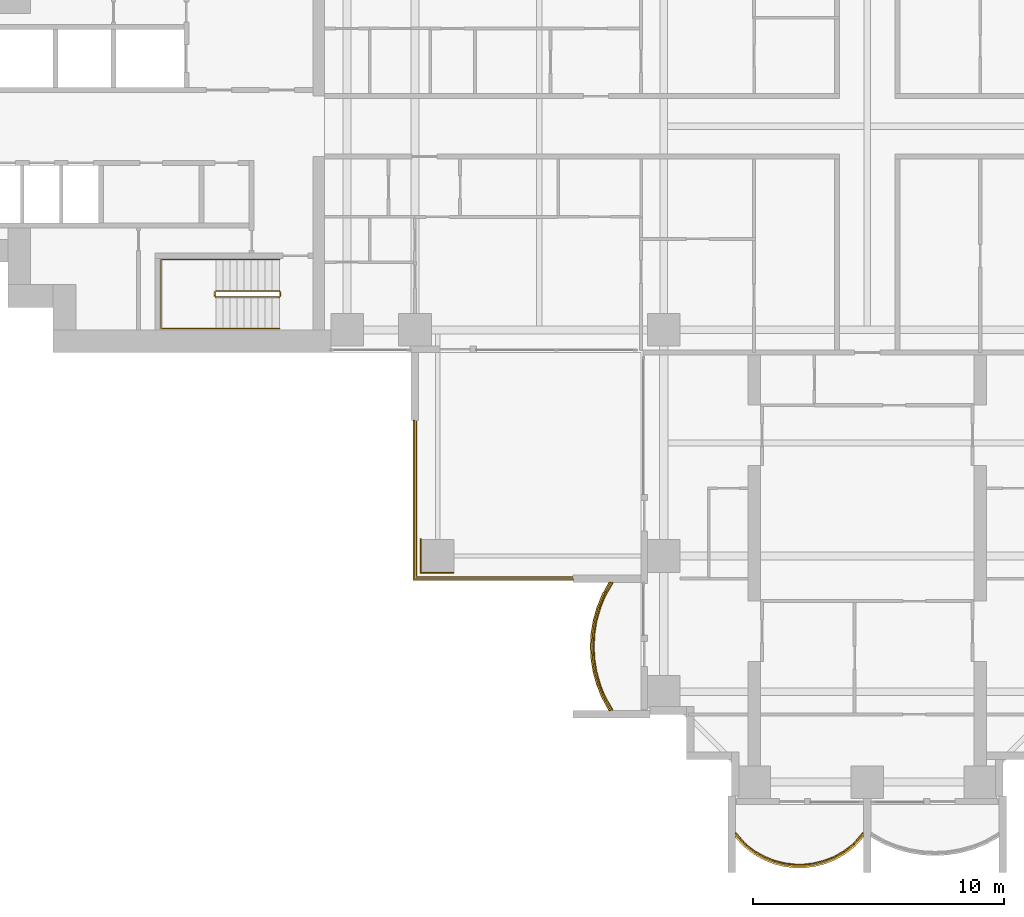
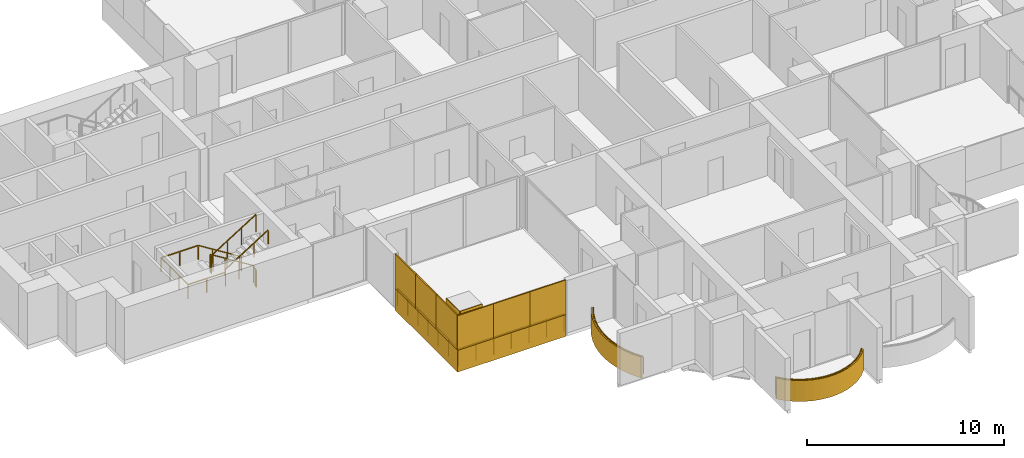
# One storey, part 18 of 21: 11 coverings, 5 railings.
"""IFC4 building model written with IfcOpenShell, lengths in metres."""

from ifc_helpers import new_model, si_unit, direction, frame, origin, origin_2d, place, context, subcontext, project, spatial, polyline, rectangle, outline, extrude, material, layer, layer_set, type_object, element, save


model = new_model("IFC4")

# Units and contexts
model_context = context("Model", 3, precision=1e-05, world=origin(), true_north=direction((0.0, 1.0)))
body_context = subcontext(model_context, "Body", "Model", "MODEL_VIEW")
ifc_project = project(units=[si_unit("LENGTHUNIT", "METRE"), si_unit("AREAUNIT", "SQUARE_METRE"), si_unit("VOLUMEUNIT", "CUBIC_METRE"), si_unit("PLANEANGLEUNIT", "RADIAN"), si_unit("MASSUNIT", "GRAM", prefix="KILO")], contexts=[model_context])

# Site, building, storey
site_placement = place(None, origin())
site = spatial("IfcSite", under=ifc_project, at=site_placement, CompositionType="ELEMENT")
building_placement = place(site_placement, origin())
building = spatial("IfcBuilding", under=site, at=building_placement, Name="Perihelion Cross Residences", CompositionType="ELEMENT")
storey_placement = place(building_placement, frame((0.0, 0.0, 57.5)))
storey = spatial("IfcBuildingStorey", under=building, at=storey_placement, Name="L11", CompositionType="ELEMENT", Elevation=57.5)

# Coverings
ifc_material_1 = material(Name="Bronze anodised aluminium", Category="aluminium")
ifc_layer_1 = layer(ifc_material_1, 0.070068359375)
ifc_layer_set_1 = layer_set([ifc_layer_1], Name="Balcony fascia 1300")
covering_type_1 = type_object("IfcCoveringType", Name="Balcony fascia 1300", PredefinedType="CLADDING", material=ifc_layer_set_1)
covering_1_placement = place(storey_placement, frame((0.0, 0.0, -0.199951171875)))
element("IfcCovering", 1, at=covering_1_placement, inside=storey, type_object=covering_type_1, Name="Fascia BF1 L11 south side west bay 2", PredefinedType="CLADDING", context=body_context, shape_type="SweptSolid", body=[
    extrude(outline(polyline([(-10.54833984375, -18.629638671875), (-10.7607421875, -19.147216796875), (-10.906494140625, -19.664794921875), (-10.991943359375, -20.182373046875), (-11.02001953125, -20.699951171875), (-10.991943359375, -21.217529296875), (-10.906494140625, -21.735107421875), (-10.7607421875, -22.2529296875), (-10.54833984375, -22.7705078125), (-10.2802734375, -23.25), (-10.199951171875, -23.25), (-10.4853515625, -22.739990234375), (-10.694580078125, -22.22998046875), (-10.838134765625, -21.719970703125), (-10.92236328125, -21.2099609375), (-10.949951171875, -20.699951171875), (-10.92236328125, -20.18994140625), (-10.838134765625, -19.679931640625), (-10.694580078125, -19.169921875), (-10.4853515625, -18.659912109375), (-10.199951171875, -18.14990234375), (-10.2802734375, -18.14990234375), (-10.54833984375, -18.629638671875)])), origin(), (0.0, 0.0, 1.0), 1.300048828125),
])
covering_2_placement = place(storey_placement, frame((0.0, 0.0, -0.199951171875)))
element("IfcCovering", 2, at=covering_2_placement, inside=storey, type_object=covering_type_1, Name="Fascia BF1 L11 south tip south bay 1", PredefinedType="CLADDING", context=body_context, shape_type="SweptSolid", body=[
    extrude(outline(polyline([(-4.90478515625, -28.674072265625), (-4.50390625, -28.982666015625), (-4.10302734375, -29.20654296875), (-3.7021484375, -29.364013671875), (-3.30126953125, -29.464599609375), (-2.900390625, -29.513916015625), (-2.49951171875, -29.513916015625), (-2.0986328125, -29.464599609375), (-1.69775390625, -29.364013671875), (-1.296875, -29.20654296875), (-0.89599609375, -28.982666015625), (-0.4951171875, -28.674072265625), (-0.14990234375, -28.302734375), (-0.14990234375, -28.199951171875), (-0.542236328125, -28.622314453125), (-0.9345703125, -28.924072265625), (-1.326904296875, -29.143310546875), (-1.71923828125, -29.29736328125), (-2.111572265625, -29.39599609375), (-2.50390625, -29.444091796875), (-2.896240234375, -29.444091796875), (-3.28857421875, -29.39599609375), (-3.6806640625, -29.29736328125), (-4.072998046875, -29.143310546875), (-4.46533203125, -28.924072265625), (-4.857666015625, -28.622314453125), (-5.25, -28.199951171875), (-5.25, -28.302734375), (-4.90478515625, -28.674072265625)])), origin(), (0.0, 0.0, 1.0), 1.300048828125),
])

# Railings
ifc_material_2 = material(Name="Bronze anodised aluminium", Category="aluminium")
railing_type_1 = type_object("IfcRailingType", Name="Balcony guard 1100", PredefinedType="GUARDRAIL", material=ifc_material_2)
railing_1_placement = place(storey_placement, frame((-10.139892578125, -18.175048828125, 0.0)))
element("IfcRailing", 3, at=railing_1_placement, inside=storey, type_object=railing_type_1, Name="Guard GU1 L11 south side west bay 2 balcony", PredefinedType="GUARDRAIL", context=body_context, shape_type="SweptSolid", body=[
    extrude(rectangle(XDim=0.048095703125, YDim=0.048095703125, at=origin_2d()), frame((0.0, 0.0, 1.076171875), z_axis=(-0.507266632806, -0.861789164031, 0.0), x_axis=(0.861789164031, -0.507266632806, 0.0)), (0.0, 0.0, 1.0), 0.562744140625),
    extrude(rectangle(XDim=0.048095703125, YDim=0.048095703125, at=origin_2d()), frame((-0.285400390625, -0.48486328125, 1.076171875), z_axis=(-0.379546636342, -0.925172605972, 0.0), x_axis=(0.925172605972, -0.379546636342, 0.0)), (0.0, 0.0, 1.0), 0.55126953125),
    extrude(rectangle(XDim=0.048095703125, YDim=0.048095703125, at=origin_2d()), frame((-0.49462890625, -0.994873046875, 1.076171875), z_axis=(-0.271372618732, -0.962474364231, 0.0), x_axis=(0.962474364231, -0.271372618732, 0.0)), (0.0, 0.0, 1.0), 0.52978515625),
    extrude(rectangle(XDim=0.048095703125, YDim=0.048095703125, at=origin_2d()), frame((-0.638427734375, -1.5048828125, 1.076171875), z_axis=(-0.162483799314, -0.986711211531, 0.0), x_axis=(0.986711211531, -0.162483799314, 0.0)), (0.0, 0.0, 1.0), 0.516845703125),
    extrude(rectangle(XDim=0.048095703125, YDim=0.048095703125, at=origin_2d()), frame((-0.722412109375, -2.014892578125, 1.076171875), z_axis=(-0.05401390175, -0.998540183677, 0.0), x_axis=(0.998540183677, -0.05401390175, 0.0)), (0.0, 0.0, 1.0), 0.5107421875),
    extrude(rectangle(XDim=0.048095703125, YDim=0.048095703125, at=origin_2d()), frame((-0.75, -2.52490234375, 1.076171875), z_axis=(0.05401390175, -0.998540183677, 0.0), x_axis=(0.998540183677, 0.05401390175, 0.0)), (0.0, 0.0, 1.0), 0.5107421875),
    extrude(rectangle(XDim=0.048095703125, YDim=0.048095703125, at=origin_2d()), frame((-0.722412109375, -3.034912109375, 1.076171875), z_axis=(0.162483799314, -0.986711211531, 0.0), x_axis=(0.986711211531, 0.162483799314, 0.0)), (0.0, 0.0, 1.0), 0.516845703125),
    extrude(rectangle(XDim=0.048095703125, YDim=0.048095703125, at=origin_2d()), frame((-0.638427734375, -3.544921875, 1.076171875), z_axis=(0.271372618732, -0.962474364231, 0.0), x_axis=(0.962474364231, 0.271372618732, 0.0)), (0.0, 0.0, 1.0), 0.52978515625),
    extrude(rectangle(XDim=0.048095703125, YDim=0.048095703125, at=origin_2d()), frame((-0.49462890625, -4.054931640625, 1.076171875), z_axis=(0.379546636342, -0.925172605972, 0.0), x_axis=(0.925172605972, 0.379546636342, 0.0)), (0.0, 0.0, 1.0), 0.55126953125),
    extrude(rectangle(XDim=0.048095703125, YDim=0.048095703125, at=origin_2d()), frame((-0.285400390625, -4.56494140625, 1.076171875), z_axis=(0.507076995033, -0.861900760591, 0.0), x_axis=(0.861900760591, 0.507076995033, 0.0)), (0.0, 0.0, 1.0), 0.562744140625),
    extrude(rectangle(XDim=0.0419921875, YDim=0.0419921875, at=origin_2d()), origin(), (0.0, 0.0, 1.0), 1.052001953125),
    extrude(rectangle(XDim=0.0419921875, YDim=0.0419921875, at=origin_2d()), frame((-0.285400390625, -0.48486328125, 0.0)), (0.0, 0.0, 1.0), 1.052001953125),
    extrude(rectangle(XDim=0.0419921875, YDim=0.0419921875, at=origin_2d()), frame((-0.49462890625, -0.994873046875, 0.0)), (0.0, 0.0, 1.0), 1.052001953125),
    extrude(rectangle(XDim=0.0419921875, YDim=0.0419921875, at=origin_2d()), frame((-0.638427734375, -1.5048828125, 0.0)), (0.0, 0.0, 1.0), 1.052001953125),
    extrude(rectangle(XDim=0.0419921875, YDim=0.0419921875, at=origin_2d()), frame((-0.722412109375, -2.014892578125, 0.0)), (0.0, 0.0, 1.0), 1.052001953125),
    extrude(rectangle(XDim=0.0419921875, YDim=0.0419921875, at=origin_2d()), frame((-0.75, -2.52490234375, 0.0)), (0.0, 0.0, 1.0), 1.052001953125),
    extrude(rectangle(XDim=0.0419921875, YDim=0.0419921875, at=origin_2d()), frame((-0.722412109375, -3.034912109375, 0.0)), (0.0, 0.0, 1.0), 1.052001953125),
    extrude(rectangle(XDim=0.0419921875, YDim=0.0419921875, at=origin_2d()), frame((-0.638427734375, -3.544921875, 0.0)), (0.0, 0.0, 1.0), 1.052001953125),
    extrude(rectangle(XDim=0.0419921875, YDim=0.0419921875, at=origin_2d()), frame((-0.49462890625, -4.054931640625, 0.0)), (0.0, 0.0, 1.0), 1.052001953125),
    extrude(rectangle(XDim=0.0419921875, YDim=0.0419921875, at=origin_2d()), frame((-0.285400390625, -4.56494140625, 0.0)), (0.0, 0.0, 1.0), 1.052001953125),
    extrude(rectangle(XDim=0.0419921875, YDim=0.0419921875, at=origin_2d()), frame((0.0, -5.050048828125, 0.0)), (0.0, 0.0, 1.0), 1.052001953125),
])
railing_2_placement = place(storey_placement, frame((-5.22509765625, -28.139892578125, 0.0)))
element("IfcRailing", 4, at=railing_2_placement, inside=storey, type_object=railing_type_1, Name="Guard GU1 L11 south tip south bay 1 balcony", PredefinedType="GUARDRAIL", context=body_context, shape_type="SweptSolid", body=[
    extrude(rectangle(XDim=0.048095703125, YDim=0.048095703125, at=origin_2d()), frame((0.0, 0.0, 1.076171875), z_axis=(0.656340655493, -0.754464673757, 0.0), x_axis=(0.754464673757, 0.656340655493, 0.0)), (0.0, 0.0, 1.0), 0.559814453125),
    extrude(rectangle(XDim=0.048095703125, YDim=0.048095703125, at=origin_2d()), frame((0.367431640625, -0.42236328125, 1.076171875), z_axis=(0.792660660899, -0.60966308455, 0.0), x_axis=(0.60966308455, 0.792660660899, 0.0)), (0.0, 0.0, 1.0), 0.494873046875),
    extrude(rectangle(XDim=0.048095703125, YDim=0.048095703125, at=origin_2d()), frame((0.759765625, -0.72412109375, 1.076171875), z_axis=(0.872950285698, -0.487809182674, 0.0), x_axis=(0.487809182674, 0.872950285698, 0.0)), (0.0, 0.0, 1.0), 0.449462890625),
    extrude(rectangle(XDim=0.048095703125, YDim=0.048095703125, at=origin_2d()), frame((1.152099609375, -0.943359375, 1.076171875), z_axis=(0.930814842219, -0.365491079925, 0.0), x_axis=(0.365491079925, 0.930814842219, 0.0)), (0.0, 0.0, 1.0), 0.42138671875),
    extrude(rectangle(XDim=0.048095703125, YDim=0.048095703125, at=origin_2d()), frame((1.54443359375, -1.097412109375, 1.076171875), z_axis=(0.969786252666, -0.243956193074, 0.0), x_axis=(0.243956193074, 0.969786252666, 0.0)), (0.0, 0.0, 1.0), 0.404296875),
    extrude(rectangle(XDim=0.048095703125, YDim=0.048095703125, at=origin_2d()), frame((1.9365234375, -1.196044921875, 1.076171875), z_axis=(0.992569651699, -0.121677797999, 0.0), x_axis=(0.121677797999, 0.992569651699, 0.0)), (0.0, 0.0, 1.0), 0.395263671875),
    extrude(rectangle(XDim=0.048095703125, YDim=0.048095703125, at=origin_2d()), frame((2.328857421875, -1.244140625, 1.076171875), z_axis=(1.0, 0.0, 0.0), x_axis=(0.0, 1.0, 0.0)), (0.0, 0.0, 1.0), 0.392333984375),
    extrude(rectangle(XDim=0.048095703125, YDim=0.048095703125, at=origin_2d()), frame((2.72119140625, -1.244140625, 1.076171875), z_axis=(0.992569651699, 0.121677797999, 0.0), x_axis=(-0.121677797999, 0.992569651699, 0.0)), (0.0, 0.0, 1.0), 0.395263671875),
    extrude(rectangle(XDim=0.048095703125, YDim=0.048095703125, at=origin_2d()), frame((3.113525390625, -1.196044921875, 1.076171875), z_axis=(0.969822159145, 0.243813411509, 0.0), x_axis=(-0.243813411509, 0.969822159145, 0.0)), (0.0, 0.0, 1.0), 0.404541015625),
    extrude(rectangle(XDim=0.048095703125, YDim=0.048095703125, at=origin_2d()), frame((3.505859375, -1.097412109375, 1.076171875), z_axis=(0.930814842219, 0.365491079925, 0.0), x_axis=(-0.365491079925, 0.930814842219, 0.0)), (0.0, 0.0, 1.0), 0.42138671875),
    extrude(rectangle(XDim=0.048095703125, YDim=0.048095703125, at=origin_2d()), frame((3.898193359375, -0.943359375, 1.076171875), z_axis=(0.872950285698, 0.487809182674, 0.0), x_axis=(-0.487809182674, 0.872950285698, 0.0)), (0.0, 0.0, 1.0), 0.449462890625),
    extrude(rectangle(XDim=0.048095703125, YDim=0.048095703125, at=origin_2d()), frame((4.29052734375, -0.72412109375, 1.076171875), z_axis=(0.792660660899, 0.60966308455, 0.0), x_axis=(-0.60966308455, 0.792660660899, 0.0)), (0.0, 0.0, 1.0), 0.494873046875),
    extrude(rectangle(XDim=0.048095703125, YDim=0.048095703125, at=origin_2d()), frame((4.682861328125, -0.42236328125, 1.076171875), z_axis=(0.656092309534, 0.754680648599, 0.0), x_axis=(-0.754680648599, 0.656092309534, 0.0)), (0.0, 0.0, 1.0), 0.5595703125),
    extrude(rectangle(XDim=0.0419921875, YDim=0.0419921875, at=origin_2d()), origin(), (0.0, 0.0, 1.0), 1.052001953125),
    extrude(rectangle(XDim=0.0419921875, YDim=0.0419921875, at=origin_2d()), frame((0.367431640625, -0.42236328125, 0.0)), (0.0, 0.0, 1.0), 1.052001953125),
    extrude(rectangle(XDim=0.0419921875, YDim=0.0419921875, at=origin_2d()), frame((0.759765625, -0.72412109375, 0.0)), (0.0, 0.0, 1.0), 1.052001953125),
    extrude(rectangle(XDim=0.0419921875, YDim=0.0419921875, at=origin_2d()), frame((1.152099609375, -0.943359375, 0.0)), (0.0, 0.0, 1.0), 1.052001953125),
    extrude(rectangle(XDim=0.0419921875, YDim=0.0419921875, at=origin_2d()), frame((1.54443359375, -1.097412109375, 0.0)), (0.0, 0.0, 1.0), 1.052001953125),
    extrude(rectangle(XDim=0.0419921875, YDim=0.0419921875, at=origin_2d()), frame((1.9365234375, -1.196044921875, 0.0)), (0.0, 0.0, 1.0), 1.052001953125),
    extrude(rectangle(XDim=0.0419921875, YDim=0.0419921875, at=origin_2d()), frame((2.328857421875, -1.244140625, 0.0)), (0.0, 0.0, 1.0), 1.052001953125),
    extrude(rectangle(XDim=0.0419921875, YDim=0.0419921875, at=origin_2d()), frame((2.72119140625, -1.244140625, 0.0)), (0.0, 0.0, 1.0), 1.052001953125),
    extrude(rectangle(XDim=0.0419921875, YDim=0.0419921875, at=origin_2d()), frame((3.113525390625, -1.196044921875, 0.0)), (0.0, 0.0, 1.0), 1.052001953125),
    extrude(rectangle(XDim=0.0419921875, YDim=0.0419921875, at=origin_2d()), frame((3.505859375, -1.097412109375, 0.0)), (0.0, 0.0, 1.0), 1.052001953125),
    extrude(rectangle(XDim=0.0419921875, YDim=0.0419921875, at=origin_2d()), frame((3.898193359375, -0.943359375, 0.0)), (0.0, 0.0, 1.0), 1.052001953125),
    extrude(rectangle(XDim=0.0419921875, YDim=0.0419921875, at=origin_2d()), frame((4.29052734375, -0.72412109375, 0.0)), (0.0, 0.0, 1.0), 1.052001953125),
    extrude(rectangle(XDim=0.0419921875, YDim=0.0419921875, at=origin_2d()), frame((4.682861328125, -0.42236328125, 0.0)), (0.0, 0.0, 1.0), 1.052001953125),
    extrude(rectangle(XDim=0.0419921875, YDim=0.0419921875, at=origin_2d()), frame((5.050048828125, 0.0, 0.0)), (0.0, 0.0, 1.0), 1.052001953125),
])
railing_3_placement = place(storey_placement, frame((-11.739990234375, -17.93994140625, 0.0)))
element("IfcRailing", 5, at=railing_3_placement, inside=storey, type_object=railing_type_1, Name="Guard GU1 L11 pocket south-west 1", PredefinedType="GUARDRAIL", context=body_context, shape_type="SweptSolid", body=[
    extrude(rectangle(XDim=0.048095703125, YDim=0.048095703125, at=origin_2d()), frame((0.0, 0.0, 1.076171875), z_axis=(-1.0, 0.0, 0.0), x_axis=(0.0, -1.0, 0.0)), (0.0, 0.0, 1.0), 6.199951171875),
    extrude(rectangle(XDim=0.048095703125, YDim=0.048095703125, at=origin_2d()), frame((-6.199951171875, 0.0, 1.076171875), z_axis=(0.0, 1.0, 0.0), x_axis=(-1.0, 0.0, 0.0)), (0.0, 0.0, 1.0), 6.199951171875),
    extrude(rectangle(XDim=0.0419921875, YDim=0.0419921875, at=origin_2d()), origin(), (0.0, 0.0, 1.0), 1.052001953125),
    extrude(rectangle(XDim=0.0419921875, YDim=0.0419921875, at=origin_2d()), frame((-1.033203125, 0.0, 0.0)), (0.0, 0.0, 1.0), 1.052001953125),
    extrude(rectangle(XDim=0.0419921875, YDim=0.0419921875, at=origin_2d()), frame((-2.066650390625, 0.0, 0.0)), (0.0, 0.0, 1.0), 1.052001953125),
    extrude(rectangle(XDim=0.0419921875, YDim=0.0419921875, at=origin_2d()), frame((-3.10009765625, 0.0, 0.0)), (0.0, 0.0, 1.0), 1.052001953125),
    extrude(rectangle(XDim=0.0419921875, YDim=0.0419921875, at=origin_2d()), frame((-4.13330078125, 0.0, 0.0)), (0.0, 0.0, 1.0), 1.052001953125),
    extrude(rectangle(XDim=0.0419921875, YDim=0.0419921875, at=origin_2d()), frame((-5.16650390625, 0.0, 0.0)), (0.0, 0.0, 1.0), 1.052001953125),
    extrude(rectangle(XDim=0.0419921875, YDim=0.0419921875, at=origin_2d()), frame((-6.199951171875, 0.0, 0.0)), (0.0, 0.0, 1.0), 1.052001953125),
    extrude(rectangle(XDim=0.0419921875, YDim=0.0419921875, at=origin_2d()), frame((-6.199951171875, 1.033203125, 0.0)), (0.0, 0.0, 1.0), 1.052001953125),
    extrude(rectangle(XDim=0.0419921875, YDim=0.0419921875, at=origin_2d()), frame((-6.199951171875, 2.066650390625, 0.0)), (0.0, 0.0, 1.0), 1.052001953125),
    extrude(rectangle(XDim=0.0419921875, YDim=0.0419921875, at=origin_2d()), frame((-6.199951171875, 3.10009765625, 0.0)), (0.0, 0.0, 1.0), 1.052001953125),
    extrude(rectangle(XDim=0.0419921875, YDim=0.0419921875, at=origin_2d()), frame((-6.199951171875, 4.13330078125, 0.0)), (0.0, 0.0, 1.0), 1.052001953125),
    extrude(rectangle(XDim=0.0419921875, YDim=0.0419921875, at=origin_2d()), frame((-6.199951171875, 5.16650390625, 0.0)), (0.0, 0.0, 1.0), 1.052001953125),
    extrude(rectangle(XDim=0.0419921875, YDim=0.0419921875, at=origin_2d()), frame((-6.199951171875, 6.199951171875, 0.0)), (0.0, 0.0, 1.0), 1.052001953125),
])

# Coverings
ifc_material_3 = material(Name="Bronze anodised aluminium", Category="aluminium")
ifc_layer_2 = layer(ifc_material_3, 0.0400390625)
ifc_layer_set_2 = layer_set([ifc_layer_2], Name="Bronze column casing 40")
covering_type_2 = type_object("IfcCoveringType", Name="Bronze column casing 40", PredefinedType="CLADDING", material=ifc_layer_set_2)
covering_3_placement = place(storey_placement, frame((-17.77001953125, -17.10009765625, -0.25), z_axis=(0.0, 0.0, 1.0), x_axis=(1.0, 0.0, 0.0)))
element("IfcCovering", 6, at=covering_3_placement, inside=storey, type_object=covering_type_2, Name="Cladding CC1 L11 casing east-west no. 1", PredefinedType="CLADDING", context=body_context, shape_type="SweptSolid", body=[
    extrude(rectangle(XDim=0.0400390625, YDim=1.3798828125, at=origin_2d()), origin(), (0.0, 0.0, 1.0), 3.5),
])
covering_4_placement = place(storey_placement, frame((-17.10009765625, -17.77001953125, -0.25), z_axis=(0.0, 0.0, 1.0), x_axis=(1.0, 0.0, 0.0)))
element("IfcCovering", 7, at=covering_4_placement, inside=storey, type_object=covering_type_2, Name="Cladding CC1 L11 casing north-south no. 1", PredefinedType="CLADDING", context=body_context, shape_type="SweptSolid", body=[
    extrude(rectangle(XDim=1.300048828125, YDim=0.0400390625, at=origin_2d()), origin(), (0.0, 0.0, 1.0), 3.5),
])
ifc_material_4 = material(Name="Bronze anodised aluminium", Category="aluminium")
ifc_layer_3 = layer(ifc_material_4, 0.070068359375)
ifc_layer_set_3 = layer_set([ifc_layer_3], Name="Pocket fascia 1350")
covering_type_3 = type_object("IfcCoveringType", Name="Pocket fascia 1350", PredefinedType="CLADDING", material=ifc_layer_set_3)
covering_5_placement = place(storey_placement, frame((0.0, 0.0, -0.25)))
element("IfcCovering", 8, at=covering_5_placement, inside=storey, type_object=covering_type_3, Name="Fascia BF2 L11 pocket south-west 1", PredefinedType="CLADDING", context=body_context, shape_type="SweptSolid", body=[
    extrude(outline(polyline([(-18.070068359375, -11.699951171875), (-18.070068359375, -18.070068359375), (-11.699951171875, -18.070068359375), (-11.699951171875, -18.0), (-18.0, -18.0), (-18.0, -11.699951171875), (-18.070068359375, -11.699951171875)])), origin(), (0.0, 0.0, 1.0), 1.35009765625),
])
ifc_material_5 = material(Name="Bronze perforated aluminium", Category="aluminium")
ifc_layer_4 = layer(ifc_material_5, 0.070068359375)
ifc_layer_set_4 = layer_set([ifc_layer_4], Name="Pocket solar screen, bronze perforated")
covering_type_4 = type_object("IfcCoveringType", Name="Pocket solar screen, bronze perforated", PredefinedType="CLADDING", material=ifc_layer_set_4)
covering_6_placement = place(storey_placement, frame((0.0, 0.0, 1.10009765625)))
element("IfcCovering", 9, at=covering_6_placement, inside=storey, type_object=covering_type_4, Name="Solar screen PS1 L11 pocket south-west no. 1", PredefinedType="CLADDING", context=body_context, shape_type="SweptSolid", body=[
    extrude(outline(polyline([(-18.0, -18.0), (-18.0, -15.89990234375), (-18.070068359375, -15.89990234375), (-18.070068359375, -18.0), (-18.0, -18.0)])), origin(), (0.0, 0.0, 1.0), 2.14990234375),
])
covering_7_placement = place(storey_placement, frame((0.0, 0.0, 1.10009765625)))
element("IfcCovering", 10, at=covering_7_placement, inside=storey, type_object=covering_type_4, Name="Solar screen PS1 L11 pocket south-west no. 2", PredefinedType="CLADDING", context=body_context, shape_type="SweptSolid", body=[
    extrude(outline(polyline([(-18.0, -15.89990234375), (-18.0, -13.800048828125), (-18.070068359375, -13.800048828125), (-18.070068359375, -15.89990234375), (-18.0, -15.89990234375)])), origin(), (0.0, 0.0, 1.0), 2.14990234375),
])
covering_8_placement = place(storey_placement, frame((0.0, 0.0, 1.10009765625)))
element("IfcCovering", 11, at=covering_8_placement, inside=storey, type_object=covering_type_4, Name="Solar screen PS1 L11 pocket south-west no. 3", PredefinedType="CLADDING", context=body_context, shape_type="SweptSolid", body=[
    extrude(outline(polyline([(-18.0, -13.800048828125), (-18.0, -11.699951171875), (-18.070068359375, -11.699951171875), (-18.070068359375, -13.800048828125), (-18.0, -13.800048828125)])), origin(), (0.0, 0.0, 1.0), 2.14990234375),
])
covering_9_placement = place(storey_placement, frame((0.0, 0.0, 1.10009765625)))
element("IfcCovering", 12, at=covering_9_placement, inside=storey, type_object=covering_type_4, Name="Solar screen PS1 L11 pocket south-west no. 4", PredefinedType="CLADDING", context=body_context, shape_type="SweptSolid", body=[
    extrude(outline(polyline([(-15.94677734375, -18.070068359375), (-15.94677734375, -18.0), (-18.070068359375, -18.0), (-18.070068359375, -18.070068359375), (-15.94677734375, -18.070068359375)])), origin(), (0.0, 0.0, 1.0), 2.14990234375),
])
covering_10_placement = place(storey_placement, frame((0.0, 0.0, 1.10009765625)))
element("IfcCovering", 13, at=covering_10_placement, inside=storey, type_object=covering_type_4, Name="Solar screen PS1 L11 pocket south-west no. 5", PredefinedType="CLADDING", context=body_context, shape_type="SweptSolid", body=[
    extrude(outline(polyline([(-13.8232421875, -18.070068359375), (-13.8232421875, -18.0), (-15.94677734375, -18.0), (-15.94677734375, -18.070068359375), (-13.8232421875, -18.070068359375)])), origin(), (0.0, 0.0, 1.0), 2.14990234375),
])
covering_11_placement = place(storey_placement, frame((0.0, 0.0, 1.10009765625)))
element("IfcCovering", 14, at=covering_11_placement, inside=storey, type_object=covering_type_4, Name="Solar screen PS1 L11 pocket south-west no. 6", PredefinedType="CLADDING", context=body_context, shape_type="SweptSolid", body=[
    extrude(outline(polyline([(-11.699951171875, -18.070068359375), (-11.699951171875, -18.0), (-13.8232421875, -18.0), (-13.8232421875, -18.070068359375), (-11.699951171875, -18.070068359375)])), origin(), (0.0, 0.0, 1.0), 2.14990234375),
])

# Railings
ifc_material_6 = material(Name="Stainless steel", Category="steel")
railing_type_2 = type_object("IfcRailingType", Name="Stair guard 1100", PredefinedType="GUARDRAIL", material=ifc_material_6)
railing_4_placement = place(storey_placement, frame((-23.35009765625, -6.75, 0.0)))
element("IfcRailing", 15, at=railing_4_placement, inside=storey, type_object=railing_type_2, Name="L11 ST-W2 stair guard 1", PredefinedType="GUARDRAIL", context=body_context, shape_type="SweptSolid", body=[
    extrude(rectangle(XDim=0.048095703125, YDim=0.048095703125, at=origin_2d()), frame((0.0, 0.0, 1.076171875), z_axis=(0.0, 1.0, 0.0), x_axis=(-1.0, 0.0, 0.0)), (0.0, 0.0, 1.0), 0.14990234375),
    extrude(rectangle(XDim=0.048095703125, YDim=0.048095703125, at=origin_2d()), frame((0.0, 0.14990234375, 1.076171875), z_axis=(-0.263862480399, 0.265155923931, 0.927399011991), x_axis=(-0.708833529934, -0.705375805398, 0.0)), (0.0, 0.0, 1.0), 0.188720703125),
    extrude(rectangle(XDim=0.048095703125, YDim=0.048095703125, at=origin_2d()), frame((-0.0498046875, 0.199951171875, 1.2509765625), z_axis=(-0.848007534815, 0.0, 0.529984170421), x_axis=(0.0, -1.0, 0.0)), (0.0, 0.0, 1.0), 2.9716796875),
    extrude(rectangle(XDim=0.048095703125, YDim=0.048095703125, at=origin_2d()), frame((-2.56982421875, 0.199951171875, 2.826171875), z_axis=(-0.707106781187, -0.707106781187, 0.0), x_axis=(0.707106781187, -0.707106781187, 0.0)), (0.0, 0.0, 1.0), 0.07080078125),
    extrude(rectangle(XDim=0.048095703125, YDim=0.048095703125, at=origin_2d()), frame((-2.619873046875, 0.14990234375, 2.826171875), z_axis=(0.0, -1.0, 0.0), x_axis=(1.0, 0.0, 0.0)), (0.0, 0.0, 1.0), 0.14990234375),
    extrude(rectangle(XDim=0.048095703125, YDim=0.048095703125, at=origin_2d()), frame((-2.619873046875, 0.0, 2.826171875), z_axis=(0.265065253269, -0.265065253269, 0.927081885822), x_axis=(0.707106781187, 0.707106781187, 0.0)), (0.0, 0.0, 1.0), 0.188720703125),
    extrude(rectangle(XDim=0.048095703125, YDim=0.048095703125, at=origin_2d()), frame((-2.56982421875, -0.050048828125, 3.0009765625), z_axis=(0.848007534815, 0.0, 0.529984170421), x_axis=(0.0, 1.0, 0.0)), (0.0, 0.0, 1.0), 2.9716796875),
    extrude(rectangle(XDim=0.0419921875, YDim=0.0419921875, at=origin_2d()), origin(), (0.0, 0.0, 1.0), 1.052001953125),
    extrude(rectangle(XDim=0.0419921875, YDim=0.0419921875, at=origin_2d()), frame((0.0, 0.14990234375, 0.0)), (0.0, 0.0, 1.0), 1.052001953125),
    extrude(rectangle(XDim=0.0419921875, YDim=0.0419921875, at=origin_2d()), frame((-0.0498046875, 0.199951171875, 0.175048828125)), (0.0, 0.0, 1.0), 1.052001953125),
    extrude(rectangle(XDim=0.0419921875, YDim=0.0419921875, at=origin_2d()), frame((-0.889892578125, 0.199951171875, 0.699951171875)), (0.0, 0.0, 1.0), 1.052001953125),
    extrude(rectangle(XDim=0.0419921875, YDim=0.0419921875, at=origin_2d()), frame((-1.729736328125, 0.199951171875, 1.22509765625)), (0.0, 0.0, 1.0), 1.052001953125),
    extrude(rectangle(XDim=0.0419921875, YDim=0.0419921875, at=origin_2d()), frame((-2.56982421875, 0.199951171875, 1.75)), (0.0, 0.0, 1.0), 1.052001953125),
    extrude(rectangle(XDim=0.0419921875, YDim=0.0419921875, at=origin_2d()), frame((-2.619873046875, 0.14990234375, 1.75)), (0.0, 0.0, 1.0), 1.052001953125),
    extrude(rectangle(XDim=0.0419921875, YDim=0.0419921875, at=origin_2d()), frame((-2.619873046875, 0.0, 1.75)), (0.0, 0.0, 1.0), 1.052001953125),
    extrude(rectangle(XDim=0.0419921875, YDim=0.0419921875, at=origin_2d()), frame((-2.56982421875, -0.050048828125, 1.925048828125)), (0.0, 0.0, 1.0), 1.052001953125),
    extrude(rectangle(XDim=0.0419921875, YDim=0.0419921875, at=origin_2d()), frame((-1.729736328125, -0.050048828125, 2.449951171875)), (0.0, 0.0, 1.0), 1.052001953125),
    extrude(rectangle(XDim=0.0419921875, YDim=0.0419921875, at=origin_2d()), frame((-0.889892578125, -0.050048828125, 2.97509765625)), (0.0, 0.0, 1.0), 1.052001953125),
    extrude(rectangle(XDim=0.0419921875, YDim=0.0419921875, at=origin_2d()), frame((-0.0498046875, -0.050048828125, 3.5)), (0.0, 0.0, 1.0), 1.052001953125),
])
ifc_material_7 = material(Name="Stainless steel", Category="steel")
railing_type_3 = type_object("IfcRailingType", Name="Stair handrail 900", PredefinedType="HANDRAIL", material=ifc_material_7)
railing_5_placement = place(storey_placement, frame((-23.39990234375, -5.300048828125, 0.175048828125)))
element("IfcRailing", 16, at=railing_5_placement, inside=storey, type_object=railing_type_3, Name="L11 ST-W2 stair handrail 1", PredefinedType="HANDRAIL", context=body_context, shape_type="SweptSolid", body=[
    extrude(rectangle(XDim=0.048095703125, YDim=0.048095703125, at=origin_2d()), frame((0.0, 0.0, 0.8759765625), z_axis=(-0.848007534815, 0.0, 0.529984170421), x_axis=(0.0, -1.0, 0.0)), (0.0, 0.0, 1.0), 2.9716796875),
    extrude(rectangle(XDim=0.048095703125, YDim=0.048095703125, at=origin_2d()), frame((-2.52001953125, 0.0, 2.45068359375), z_axis=(-1.0, 0.0, 0.0), x_axis=(0.0, -1.0, 0.0)), (0.0, 0.0, 1.0), 2.18017578125),
    extrude(rectangle(XDim=0.048095703125, YDim=0.048095703125, at=origin_2d()), frame((-4.7001953125, 0.0, 2.45068359375), z_axis=(0.0, -1.0, 0.0), x_axis=(1.0, 0.0, 0.0)), (0.0, 0.0, 1.0), 2.75),
    extrude(rectangle(XDim=0.048095703125, YDim=0.048095703125, at=origin_2d()), frame((-4.7001953125, -2.75, 2.45068359375), z_axis=(1.0, 0.0, 0.0), x_axis=(0.0, 1.0, 0.0)), (0.0, 0.0, 1.0), 2.18017578125),
    extrude(rectangle(XDim=0.048095703125, YDim=0.048095703125, at=origin_2d()), frame((-2.52001953125, -2.75, 2.45068359375), z_axis=(0.0, 0.0, 1.0), x_axis=(1.0, 0.0, 0.0)), (0.0, 0.0, 1.0), 0.175048828125),
    extrude(rectangle(XDim=0.048095703125, YDim=0.048095703125, at=origin_2d()), frame((-2.52001953125, -2.75, 2.6259765625), z_axis=(0.848007534815, 0.0, 0.529984170421), x_axis=(0.0, 1.0, 0.0)), (0.0, 0.0, 1.0), 2.9716796875),
    extrude(rectangle(XDim=0.0419921875, YDim=0.0419921875, at=origin_2d()), origin(), (0.0, 0.0, 1.0), 0.851806640625),
    extrude(rectangle(XDim=0.0419921875, YDim=0.0419921875, at=origin_2d()), frame((-0.840087890625, 0.0, 0.52490234375)), (0.0, 0.0, 1.0), 0.851806640625),
    extrude(rectangle(XDim=0.0419921875, YDim=0.0419921875, at=origin_2d()), frame((-1.679931640625, 0.0, 1.050048828125)), (0.0, 0.0, 1.0), 0.851806640625),
    extrude(rectangle(XDim=0.0419921875, YDim=0.0419921875, at=origin_2d()), frame((-2.52001953125, 0.0, 1.574951171875)), (0.0, 0.0, 1.0), 0.851806640625),
    extrude(rectangle(XDim=0.0419921875, YDim=0.0419921875, at=origin_2d()), frame((-3.610107421875, 0.0, 1.574951171875)), (0.0, 0.0, 1.0), 0.851806640625),
    extrude(rectangle(XDim=0.0419921875, YDim=0.0419921875, at=origin_2d()), frame((-4.7001953125, 0.0, 1.574951171875)), (0.0, 0.0, 1.0), 0.851806640625),
    extrude(rectangle(XDim=0.0419921875, YDim=0.0419921875, at=origin_2d()), frame((-4.7001953125, -0.916748046875, 1.574951171875)), (0.0, 0.0, 1.0), 0.851806640625),
    extrude(rectangle(XDim=0.0419921875, YDim=0.0419921875, at=origin_2d()), frame((-4.7001953125, -1.833251953125, 1.574951171875)), (0.0, 0.0, 1.0), 0.851806640625),
    extrude(rectangle(XDim=0.0419921875, YDim=0.0419921875, at=origin_2d()), frame((-4.7001953125, -2.75, 1.574951171875)), (0.0, 0.0, 1.0), 0.851806640625),
    extrude(rectangle(XDim=0.0419921875, YDim=0.0419921875, at=origin_2d()), frame((-3.610107421875, -2.75, 1.574951171875)), (0.0, 0.0, 1.0), 0.851806640625),
    extrude(rectangle(XDim=0.0419921875, YDim=0.0419921875, at=origin_2d()), frame((-2.52001953125, -2.75, 1.574951171875)), (0.0, 0.0, 1.0), 0.851806640625),
    extrude(rectangle(XDim=0.0419921875, YDim=0.0419921875, at=origin_2d()), frame((-2.52001953125, -2.75, 1.75)), (0.0, 0.0, 1.0), 0.851806640625),
    extrude(rectangle(XDim=0.0419921875, YDim=0.0419921875, at=origin_2d()), frame((-1.679931640625, -2.75, 2.27490234375)), (0.0, 0.0, 1.0), 0.851806640625),
    extrude(rectangle(XDim=0.0419921875, YDim=0.0419921875, at=origin_2d()), frame((-0.840087890625, -2.75, 2.800048828125)), (0.0, 0.0, 1.0), 0.851806640625),
    extrude(rectangle(XDim=0.0419921875, YDim=0.0419921875, at=origin_2d()), frame((0.0, -2.75, 3.324951171875)), (0.0, 0.0, 1.0), 0.851806640625),
])

save(model, "model.ifc")
